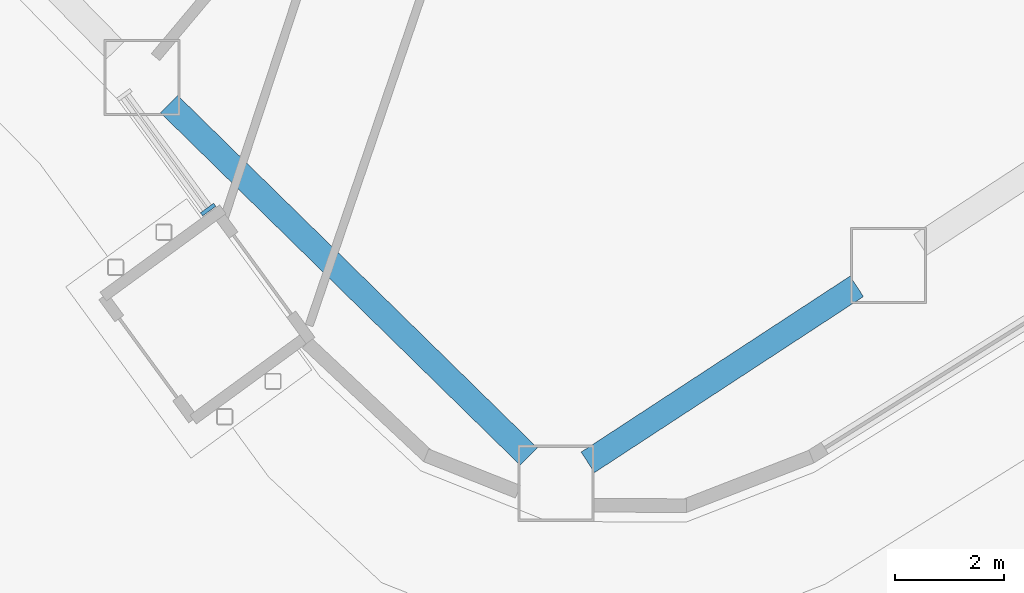
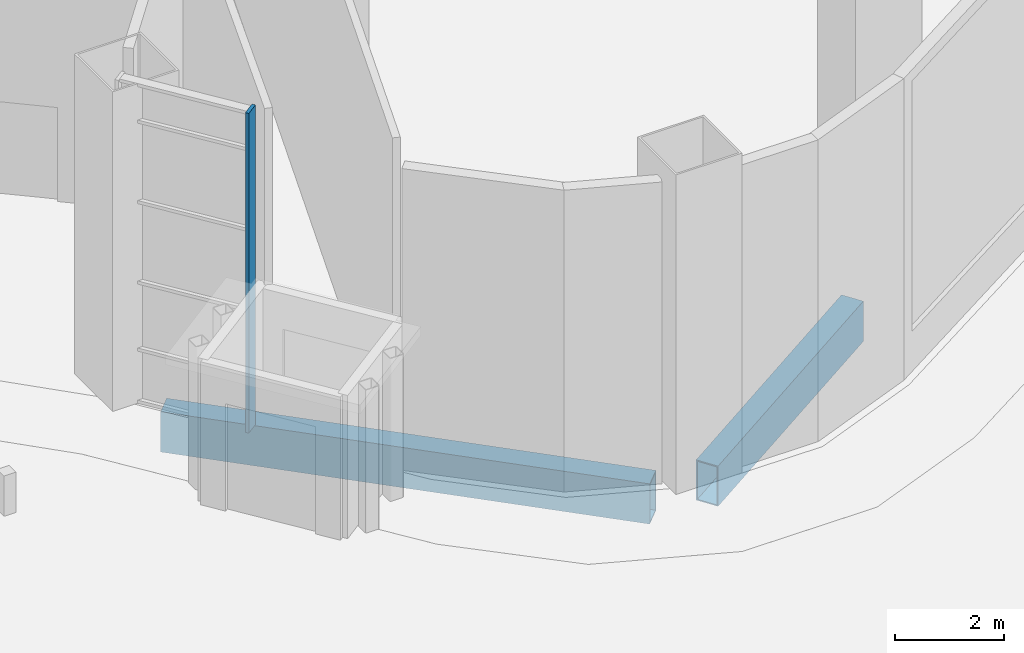
# One storey, part 10 of 45: 2 beams, 1 member, 1 element without a shape of its own.
"""IFC4 building model written with IfcOpenShell, lengths in metres."""

import ifcopenshell
import ifcopenshell.guid

model = None  # the IFC model being written
_history = None  # IfcOwnerHistory: only IFC2X3 demands one
_inside = {}  # id of a spatial element -> (the spatial element, [elements in it])
_under = {}  # id of a project, library or spatial element -> (it, [spatial elements below it])
_declared = {}  # id of a project -> (the project, [libraries it declares])
_typed = {}  # id of a type object -> (the type object, [elements of that type])
_made_of = {}  # id of a material, layer set ... -> (it, [elements and type objects made of it])


def new_model(schema):
    """Start an empty IFC model of exactly this schema.

    Asked for "IFC4X3", IfcOpenShell would pick the latest addendum, in which some entities
    have other attributes; the version numbers below select the first issue.
    IFC2X3 requires an IfcOwnerHistory on every rooted entity: one is made here for all.
    """
    global model, _history
    if schema == "IFC4X3":
        model = ifcopenshell.file(schema_version=(4, 3, 0, 0))
    else:
        model = ifcopenshell.file(schema=schema)
    _inside.clear()
    _under.clear()
    _declared.clear()
    _typed.clear()
    _made_of.clear()
    _history = None
    if model.schema == "IFC2X3":
        org = make("IfcOrganization", Name="unknown")
        user = make(
            "IfcPersonAndOrganization",
            ThePerson=make("IfcPerson", FamilyName="unknown"),
            TheOrganization=org,
        )
        app = make(
            "IfcApplication",
            ApplicationDeveloper=org,
            Version="unknown",
            ApplicationFullName="unknown",
            ApplicationIdentifier="unknown",
        )
        _history = make(
            "IfcOwnerHistory",
            OwningUser=user,
            OwningApplication=app,
            ChangeAction="ADDED",
            CreationDate=0,
        )
    return model


def make(cls, **values):
    """One entity of the class cls with the attributes given. An attribute that is None is left unset."""
    return model.create_entity(
        cls, **{name: value for name, value in values.items() if value is not None}
    )


def rooted(cls, **values):
    """An entity with a GlobalId (a new one), such as an element, a storey or a relation."""
    return make(cls, GlobalId=ifcopenshell.guid.new(), OwnerHistory=_history, **values)


def si_unit(unit_type, name, prefix=None):
    """IfcSIUnit, for example si_unit("LENGTHUNIT", "METRE", prefix="MILLI")."""
    return make("IfcSIUnit", UnitType=unit_type, Prefix=prefix, Name=name)


def assignment(units):
    """IfcUnitAssignment: the units of a project."""
    return None if units is None else make("IfcUnitAssignment", Units=units)


def point(xyz):
    """IfcCartesianPoint."""
    return None if xyz is None else make("IfcCartesianPoint", Coordinates=xyz)


def direction(xyz):
    """IfcDirection."""
    return None if xyz is None else make("IfcDirection", DirectionRatios=xyz)


def frame(location, z_axis=None, x_axis=None):
    """IfcAxis2Placement3D, a coordinate frame: its origin and axes. An axis left out is left unset."""
    return make(
        "IfcAxis2Placement3D",
        Location=point(location),
        Axis=direction(z_axis),
        RefDirection=direction(x_axis),
    )


def frame_2d(location, x_axis=None):
    """IfcAxis2Placement2D, a coordinate frame in the plane: its origin and x axis."""
    return make(
        "IfcAxis2Placement2D", Location=point(location), RefDirection=direction(x_axis)
    )


def origin():
    """The frame at (0, 0, 0) with its axes left unset."""
    return frame((0.0, 0.0, 0.0))


def origin_2d():
    """The frame at (0, 0) in the plane with its x axis left unset."""
    return frame_2d((0.0, 0.0))


def place(relative_to, where):
    """IfcLocalPlacement: puts the frame where relative to a parent placement (None: the world)."""
    return make(
        "IfcLocalPlacement", PlacementRelTo=relative_to, RelativePlacement=where
    )


def context(
    kind, dimensions, precision=None, world=None, true_north=None, identifier=None
):
    """IfcGeometricRepresentationContext, for example the 3D "Model" context."""
    return make(
        "IfcGeometricRepresentationContext",
        ContextIdentifier=identifier,
        ContextType=kind,
        CoordinateSpaceDimension=dimensions,
        Precision=precision,
        WorldCoordinateSystem=world,
        TrueNorth=true_north,
    )


def subcontext(parent, identifier, kind, view, scale=None):
    """IfcGeometricRepresentationSubContext, for example "Body" below "Model"."""
    return make(
        "IfcGeometricRepresentationSubContext",
        ContextIdentifier=identifier,
        ContextType=kind,
        ParentContext=parent,
        TargetScale=scale,
        TargetView=view,
    )


def project(units=None, contexts=None):
    """IfcProject with its units and contexts."""
    return rooted(
        "IfcProject",
        Name="project",
        RepresentationContexts=contexts,
        UnitsInContext=assignment(units),
    )


def spatial(cls, under=None, at=None, **own):
    """A site, building, storey or space (cls), placed at a placement, below another one or the project."""
    s = rooted(cls, ObjectPlacement=at, **own)
    if under is not None:
        _under.setdefault(under.id(), (under, []))[1].append(s)
    return s


def profile(cls, at=None, kind="AREA", **sizes):
    """A parametric profile (cls). Its sizes go by their IFC names, for example OverallWidth=200.0."""
    return make(cls, ProfileType=kind, Position=at, **sizes)


def rectangle(**sizes):
    """IfcRectangleProfileDef."""
    return profile("IfcRectangleProfileDef", **sizes)


def hollow_rectangle(**sizes):
    """IfcRectangleHollowProfileDef."""
    return profile("IfcRectangleHollowProfileDef", **sizes)


def extrude(swept, where, along, depth):
    """IfcExtrudedAreaSolid: the profile swept, set in the frame where, extruded along a direction by depth."""
    return make(
        "IfcExtrudedAreaSolid",
        SweptArea=swept,
        Position=where,
        ExtrudedDirection=direction(along),
        Depth=depth,
    )


def shape(context_of_items, identifier, shape_type, items):
    """IfcShapeRepresentation: the items that make up one representation, for example the "Body"."""
    return make(
        "IfcShapeRepresentation",
        ContextOfItems=context_of_items,
        RepresentationIdentifier=identifier,
        RepresentationType=shape_type,
        Items=items,
    )


def material(Name=None, Category=None):
    """IfcMaterial."""
    return make("IfcMaterial", Name=Name, Category=Category)


def layer(
    of_material, thickness, ventilated=None, Name=None, Category=None, Priority=None
):
    """IfcMaterialLayer: one layer of a wall or slab, of a material (None: an air gap)."""
    return make(
        "IfcMaterialLayer",
        Material=of_material,
        LayerThickness=thickness,
        IsVentilated=ventilated,
        Name=Name,
        Category=Category,
        Priority=Priority,
    )


def layer_set(layers, Name=None):
    """IfcMaterialLayerSet."""
    return make("IfcMaterialLayerSet", MaterialLayers=layers, LayerSetName=Name)


def material_profile(
    of_material, cross_section, Name=None, Category=None, Priority=None
):
    """IfcMaterialProfile: a cross section and its material."""
    return make(
        "IfcMaterialProfile",
        Name=Name,
        Material=of_material,
        Profile=cross_section,
        Priority=Priority,
        Category=Category,
    )


def profile_set(profiles, Name=None, composite=None):
    """IfcMaterialProfileSet."""
    return make(
        "IfcMaterialProfileSet",
        Name=Name,
        MaterialProfiles=profiles,
        CompositeProfile=composite,
    )


def made_of(thing, what):
    """Note that an element or type object is made of a material, layer set ...; save() writes the relation."""
    if what is not None:
        _made_of.setdefault(what.id(), (what, []))[1].append(thing)
    return thing


def type_object(cls, material=None, **own):
    """A type object (cls), such as IfcWallType, which elements share."""
    return made_of(rooted(cls, **own), material)


def element(
    cls,
    number,
    at=None,
    inside=None,
    cuts=None,
    type_object=None,
    material=None,
    context=None,
    identifier="Body",
    shape_type=None,
    held_by="IfcProductDefinitionShape",
    body=None,
    shapes=None,
    **own,
):
    """One element of the class cls, such as IfcWall. Its Tag is "e" and its number.

    at: its placement. inside: the storey or other place that contains it. cuts: it is an
    opening in that element (IfcRelVoidsElement). A single representation is given by context,
    identifier, shape_type and body (its items); several are given by shapes. held_by: the class
    of the entity that holds the representations. save() writes the other relations.
    """
    e = rooted(cls, Tag="e%d" % number, ObjectPlacement=at, **own)
    if body is not None:
        shapes = [shape(context, identifier, shape_type, body)]
    if shapes is not None:
        e.Representation = make(held_by, Representations=shapes)
    if inside is not None:
        _inside.setdefault(inside.id(), (inside, []))[1].append(e)
    if cuts is not None:
        rooted(
            "IfcRelVoidsElement", RelatingBuildingElement=cuts, RelatedOpeningElement=e
        )
    if type_object is not None:
        _typed.setdefault(type_object.id(), (type_object, []))[1].append(e)
    return made_of(e, material)


def aggregate(whole, parts):
    """IfcRelAggregates: a whole, such as a stair, and the parts it consists of."""
    return rooted("IfcRelAggregates", RelatingObject=whole, RelatedObjects=parts)


def save(model, path):
    """Write the relations noted so far, then the file.

    IfcRelAggregates (storeys below a building ...), IfcRelContainedInSpatialStructure (elements
    in a storey), IfcRelDefinesByType, IfcRelAssociatesMaterial and IfcRelDeclares: one each for
    every whole, place, type object, material and project.
    """
    for whole, parts in _under.values():
        aggregate(whole, parts)
    for where, things in _inside.values():
        rooted(
            "IfcRelContainedInSpatialStructure",
            RelatedElements=things,
            RelatingStructure=where,
        )
    for kind, things in _typed.values():
        rooted("IfcRelDefinesByType", RelatedObjects=things, RelatingType=kind)
    for what, things in _made_of.values():
        rooted("IfcRelAssociatesMaterial", RelatedObjects=things, RelatingMaterial=what)
    for by, libraries in _declared.values():
        rooted("IfcRelDeclares", RelatingContext=by, RelatedDefinitions=libraries)
    model.write(path)


model = new_model("IFC4")

# Units and contexts
model_context = context("Model", 3, precision=1e-05, world=origin(), true_north=direction((0.0, 1.0)))
body_context = subcontext(model_context, "Body", "Model", "MODEL_VIEW")
ifc_project = project(units=[si_unit("LENGTHUNIT", "METRE"), si_unit("AREAUNIT", "SQUARE_METRE"), si_unit("VOLUMEUNIT", "CUBIC_METRE"), si_unit("PLANEANGLEUNIT", "RADIAN"), si_unit("MASSUNIT", "GRAM", prefix="KILO")], contexts=[model_context])

# Site, building, storey
site_placement = place(None, origin())
site = spatial("IfcSite", under=ifc_project, at=site_placement, CompositionType="ELEMENT")
building_placement = place(site_placement, origin())
building = spatial("IfcBuilding", under=site, at=building_placement, Name="Tuul Gate Civic Tower", CompositionType="ELEMENT")
storey_placement = place(building_placement, origin())
storey = spatial("IfcBuildingStorey", under=building, at=storey_placement, Name="Level 00", CompositionType="ELEMENT", Elevation=0.0)

# Curtain wall, member
ifc_material_1 = material(Name="Aluminium", Category="aluminium")
ifc_layer = layer(ifc_material_1, 0.199951171875)
ifc_layer_set = layer_set([ifc_layer], Name="Aluminium")
curtain_wall_type = type_object("IfcCurtainWallType", Name="Curtain wall CW1", PredefinedType="NOTDEFINED", material=ifc_layer_set)
curtain_wall_placement = place(storey_placement, origin())
curtain_wall = element("IfcCurtainWall", 1, at=curtain_wall_placement, inside=storey, type_object=curtain_wall_type, Name="Curtain wall CW1", PredefinedType="NOTDEFINED")
ifc_material_2 = material(Name="Aluminium", Category="aluminium")
ifc_material_profile_1 = material_profile(ifc_material_2, rectangle(XDim=0.300048828125, YDim=0.070068359375, at=origin_2d()), Name="CW1 mullion")
ifc_profile_set_1 = profile_set([ifc_material_profile_1], Name="Aluminium")
member_type = type_object("IfcMemberType", Name="CW1 mullion", PredefinedType="MULLION", material=ifc_profile_set_1)
member_placement = place(storey_placement, frame((36.70849609375, -32.343994140625, 0.0), z_axis=(0.0, 0.0, 1.0), x_axis=(0.807581267587, 0.589756302419, 0.0)))
member = element("IfcMember", 2, at=member_placement, type_object=member_type, Name="Mullion", PredefinedType="MULLION", context=body_context, shape_type="SweptSolid", body=[
    extrude(rectangle(XDim=0.300048828125, YDim=0.070068359375, at=origin_2d()), origin(), (0.0, 0.0, 1.0), 7.14990234375),
])
aggregate(curtain_wall, [member])

# Beams
ifc_material_3 = material(Name="Steel S355", Category="steel")
ifc_material_profile_2 = material_profile(ifc_material_3, hollow_rectangle(XDim=0.449951171875, YDim=0.89990234375, WallThickness=0.02490234375, at=origin_2d()), Name="BOX900x450x25")
ifc_profile_set_2 = profile_set([ifc_material_profile_2], Name="Steel S355")
beam_type = type_object("IfcBeamType", Name="STR-SPANDREL BEAM-BOX900x450x25", PredefinedType="BEAM", material=ifc_profile_set_2)
beam_1_placement = place(storey_placement, frame((35.991943359375, -30.406005859375, -0.85009765625), z_axis=(0.714257932821, -0.699882565437, 0.0), x_axis=(0.699882565437, 0.714257932821, 0.0)))
element("IfcBeam", 3, at=beam_1_placement, inside=storey, type_object=beam_type, Name="Spandrel beam", PredefinedType="BEAM", context=body_context, shape_type="SweptSolid", body=[
    extrude(hollow_rectangle(XDim=0.449951171875, YDim=0.89990234375, WallThickness=0.02490234375, at=origin_2d()), origin(), (0.0, 0.0, 1.0), 9.255859375),
])
beam_2_placement = place(storey_placement, frame((43.688720703125, -36.99072265625, -0.85009765625), z_axis=(0.836737319566, 0.547604472265, 0.0), x_axis=(-0.547604472265, 0.836737319566, 0.0)))
element("IfcBeam", 4, at=beam_2_placement, inside=storey, type_object=beam_type, Name="Spandrel beam", PredefinedType="BEAM", context=body_context, shape_type="SweptSolid", body=[
    extrude(hollow_rectangle(XDim=0.449951171875, YDim=0.89990234375, WallThickness=0.02490234375, at=origin_2d()), origin(), (0.0, 0.0, 1.0), 5.908203125),
])

save(model, "model.ifc")
